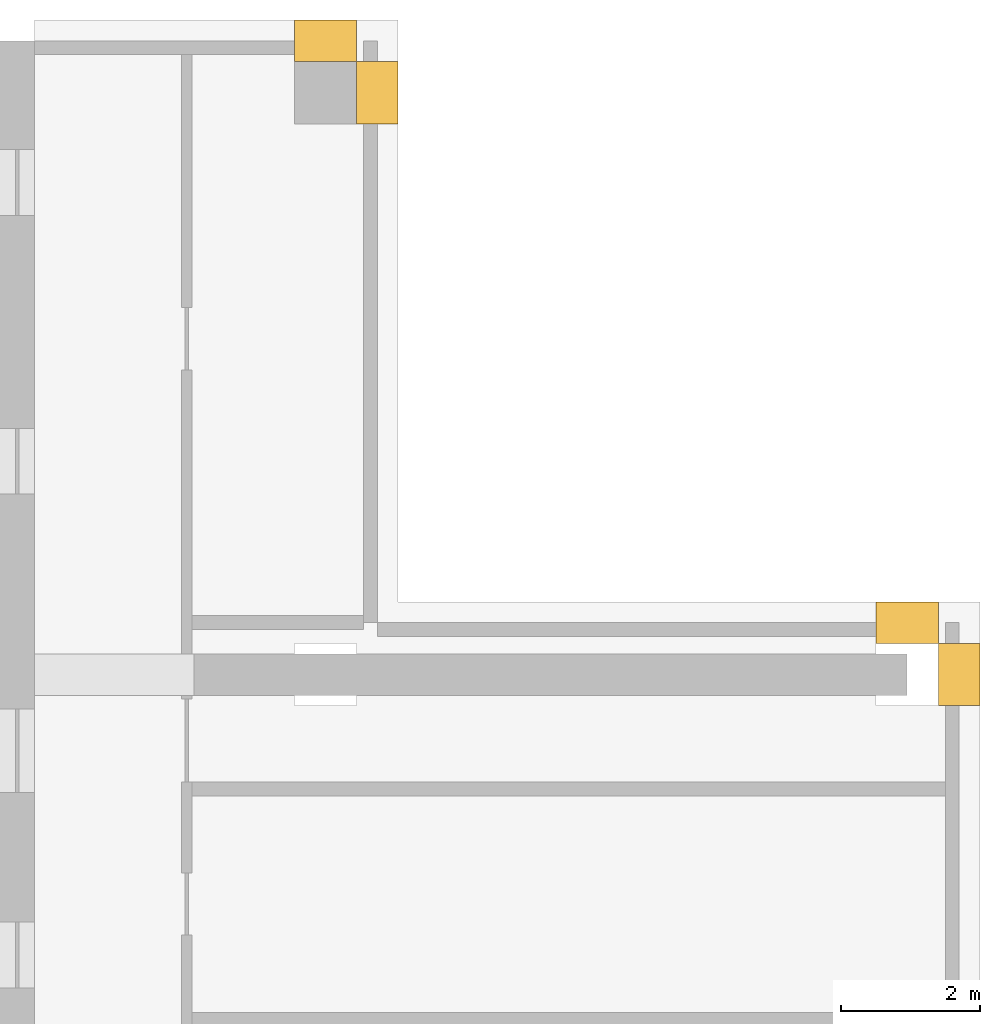
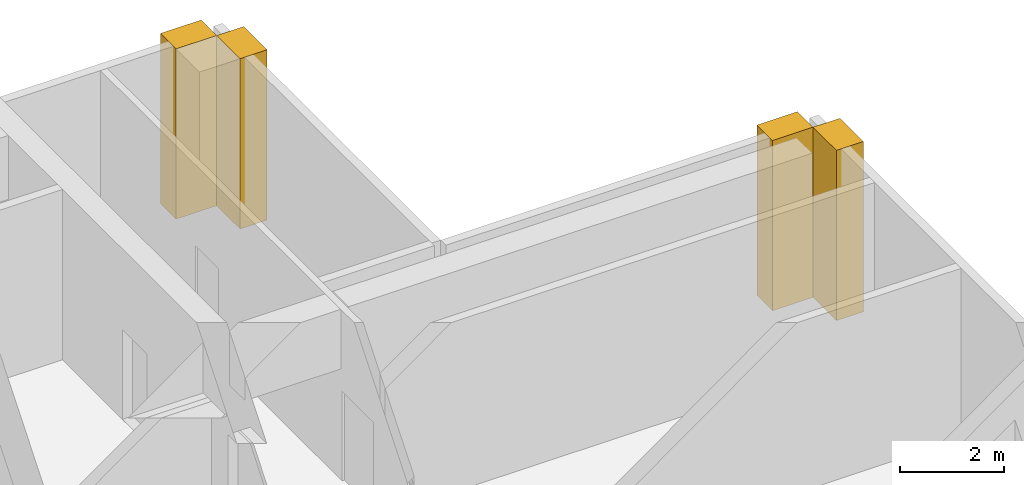
# One storey, part 11 of 11: 4 coverings.
"""IFC4 building model written with IfcOpenShell, lengths in metres."""

from ifc_helpers import new_model, si_unit, direction, frame, origin, place, context, subcontext, project, spatial, polyline, outline, extrude, material, type_object, element, save


model = new_model("IFC4")

# Units and contexts
model_context = context("Model", 3, precision=1e-05, world=origin(), true_north=direction((0.0, 1.0)))
body_context = subcontext(model_context, "Body", "Model", "MODEL_VIEW")
ifc_project = project(units=[si_unit("LENGTHUNIT", "METRE"), si_unit("AREAUNIT", "SQUARE_METRE"), si_unit("VOLUMEUNIT", "CUBIC_METRE"), si_unit("PLANEANGLEUNIT", "RADIAN"), si_unit("MASSUNIT", "GRAM", prefix="KILO")], contexts=[model_context])

# Site, building, storey
site_placement = place(None, origin())
site = spatial("IfcSite", under=ifc_project, at=site_placement, CompositionType="ELEMENT")
building_placement = place(site_placement, origin())
building = spatial("IfcBuilding", under=site, at=building_placement, Name="Vermilion Ogive Tower", CompositionType="ELEMENT")
storey_placement = place(building_placement, frame((0.0, 0.0, 264.85009765625)))
storey = spatial("IfcBuildingStorey", under=building, at=storey_placement, Name="L70", CompositionType="ELEMENT", Elevation=264.85009765625)

# Coverings
ifc_material = material(Name="Stone cladding", Category="masonry")
covering_type = type_object("IfcCoveringType", Name="Stone pier", PredefinedType="CLADDING", material=ifc_material)
covering_1_placement = place(storey_placement, origin())
element("IfcCovering", 1, at=covering_1_placement, inside=storey, type_object=covering_type, Name="Stone pier P+0168+210X4", PredefinedType="CLADDING", context=body_context, shape_type="SweptSolid", body=[
    extrude(outline(polyline([(17.85009765625, 21.449951171875), (17.85009765625, 20.550048828125), (17.25, 20.550048828125), (17.25, 21.449951171875), (17.85009765625, 21.449951171875)])), origin(), (0.0, 0.0, 1.0), 4.0),
])
covering_2_placement = place(storey_placement, origin())
element("IfcCovering", 2, at=covering_2_placement, inside=storey, type_object=covering_type, Name="Stone pier P+0168+210N1", PredefinedType="CLADDING", context=body_context, shape_type="SweptSolid", body=[
    extrude(outline(polyline([(17.25, 22.050048828125), (17.25, 21.449951171875), (16.35009765625, 21.449951171875), (16.35009765625, 22.050048828125), (17.25, 22.050048828125)])), origin(), (0.0, 0.0, 1.0), 4.0),
])
covering_3_placement = place(storey_placement, origin())
element("IfcCovering", 3, at=covering_3_placement, inside=storey, type_object=covering_type, Name="Stone pier P+0252+126E", PredefinedType="CLADDING", context=body_context, shape_type="SweptSolid", body=[
    extrude(outline(polyline([(26.25, 13.050048828125), (26.25, 12.14990234375), (25.64990234375, 12.14990234375), (25.64990234375, 13.050048828125), (26.25, 13.050048828125)])), origin(), (0.0, 0.0, 1.0), 4.0),
])
covering_4_placement = place(storey_placement, origin())
element("IfcCovering", 4, at=covering_4_placement, inside=storey, type_object=covering_type, Name="Stone pier P+0252+126X3", PredefinedType="CLADDING", context=body_context, shape_type="SweptSolid", body=[
    extrude(outline(polyline([(25.64990234375, 13.64990234375), (25.64990234375, 13.050048828125), (24.75, 13.050048828125), (24.75, 13.64990234375), (25.64990234375, 13.64990234375)])), origin(), (0.0, 0.0, 1.0), 4.0),
])

save(model, "model.ifc")
